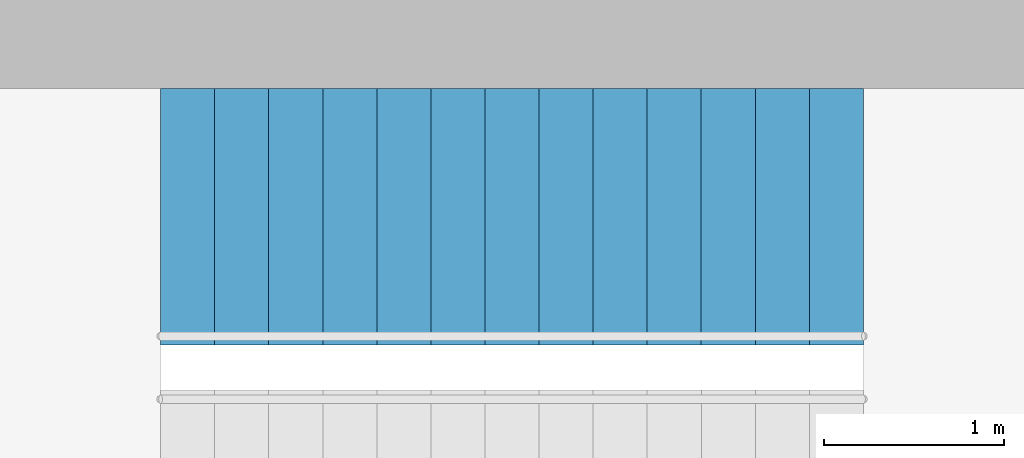
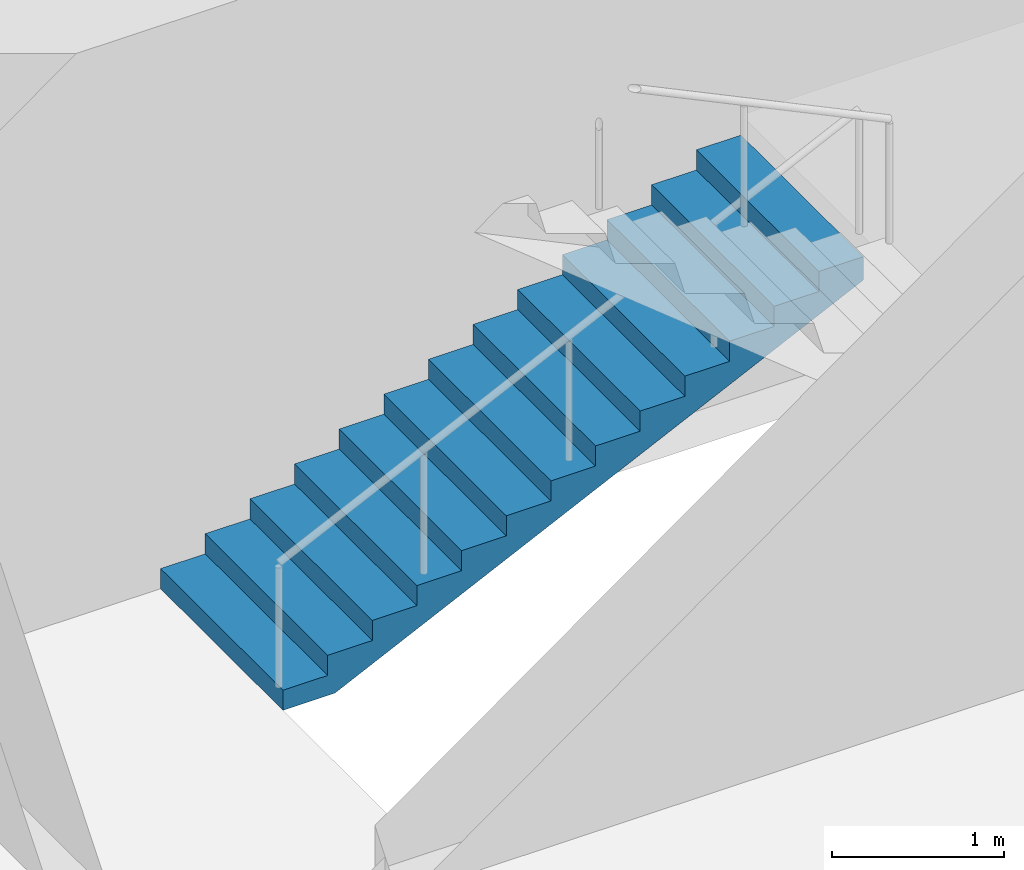
# One storey, part 43 of 45: 1 stair flight, 1 element without a shape of its own.
"""IFC4 building model written with IfcOpenShell, lengths in metres."""

from ifc_helpers import new_model, si_unit, direction, frame, origin, place, context, subcontext, project, spatial, polyline, outline, extrude, material, type_object, element, aggregate, save


model = new_model("IFC4")

# Units and contexts
model_context = context("Model", 3, precision=1e-05, world=origin(), true_north=direction((0.0, 1.0)))
body_context = subcontext(model_context, "Body", "Model", "MODEL_VIEW")
ifc_project = project(units=[si_unit("LENGTHUNIT", "METRE"), si_unit("AREAUNIT", "SQUARE_METRE"), si_unit("VOLUMEUNIT", "CUBIC_METRE"), si_unit("PLANEANGLEUNIT", "RADIAN"), si_unit("MASSUNIT", "GRAM", prefix="KILO")], contexts=[model_context])

# Site, building, storey
site_placement = place(None, origin())
site = spatial("IfcSite", under=ifc_project, at=site_placement, CompositionType="ELEMENT")
building_placement = place(site_placement, origin())
building = spatial("IfcBuilding", under=site, at=building_placement, Name="Zorevar Civic Tower", CompositionType="ELEMENT")
storey_placement = place(building_placement, frame((0.0, 0.0, 47.800048828125)))
storey = spatial("IfcBuildingStorey", under=building, at=storey_placement, Name="L11", CompositionType="ELEMENT", Elevation=47.800048828125)

# Stair, stair flight
ifc_material_1 = material(Name="Precast concrete C40/50", Category="concrete")
stair_type = type_object("IfcStairType", Name="Stair ST 28R", PredefinedType="HALF_TURN_STAIR", material=ifc_material_1)
stair_placement = place(storey_placement, origin())
stair = element("IfcStair", 1, at=stair_placement, inside=storey, type_object=stair_type, Name="Stair ST2 L11", PredefinedType="HALF_TURN_STAIR")
ifc_material_2 = material(Name="Precast concrete C40/50", Category="concrete")
stair_flight_type = type_object("IfcStairFlightType", Name="Stair flight", PredefinedType="STRAIGHT", material=ifc_material_2)
stair_flight_placement = place(storey_placement, frame((37.949951171875, 34.737548828125, 0.0), z_axis=(0.0, 0.0, 1.0), x_axis=(1.0, 0.0, 0.0)))
stair_flight = element("IfcStairFlight", 2, at=stair_flight_placement, type_object=stair_flight_type, Name="ST2 flight 1", NumberOfRisers=14, NumberOfTreads=13, PredefinedType="STRAIGHT", RiserHeight=0.142857143, TreadLength=0.3, context=body_context, shape_type="SweptSolid", body=[
    extrude(outline(polyline([(0.0, 0.0), (0.0, 0.142822265625), (0.300048828125, 0.142822265625), (0.300048828125, 0.28564453125), (0.60009765625, 0.28564453125), (0.60009765625, 0.428466796875), (0.89990234375, 0.428466796875), (0.89990234375, 0.571533203125), (1.199951171875, 0.571533203125), (1.199951171875, 0.71435546875), (1.5, 0.71435546875), (1.5, 0.857177734375), (1.800048828125, 0.857177734375), (1.800048828125, 1.0), (2.10009765625, 1.0), (2.10009765625, 1.142822265625), (2.39990234375, 1.142822265625), (2.39990234375, 1.28564453125), (2.699951171875, 1.28564453125), (2.699951171875, 1.428466796875), (3.0, 1.428466796875), (3.0, 1.571533203125), (3.300048828125, 1.571533203125), (3.300048828125, 1.71435546875), (3.60009765625, 1.71435546875), (3.60009765625, 1.857177734375), (3.89990234375, 1.857177734375), (3.89990234375, 2.0), (3.89990234375, 1.691162109375), (0.3486328125, 0.0), (0.0, 0.0)])), frame((0.0, 0.71240234375, 0.0), z_axis=(0.0, -1.0, 0.0), x_axis=(1.0, 0.0, 0.0)), (0.0, 0.0, 1.0), 1.425048828125),
])
aggregate(stair, [stair_flight])

save(model, "model.ifc")
